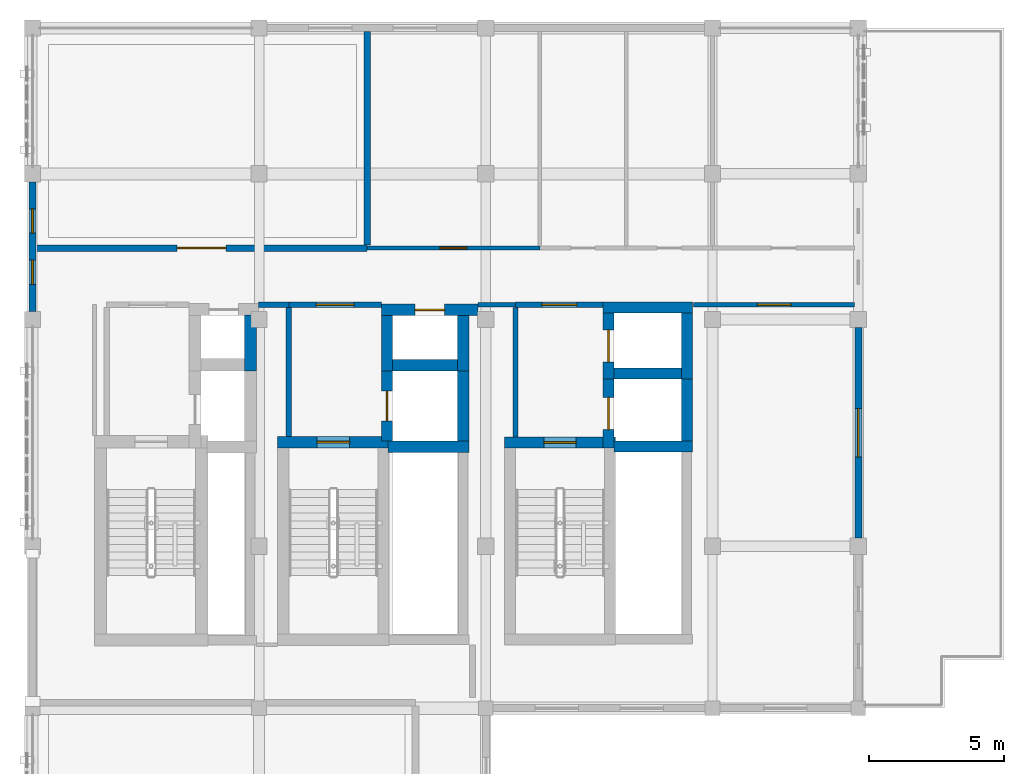
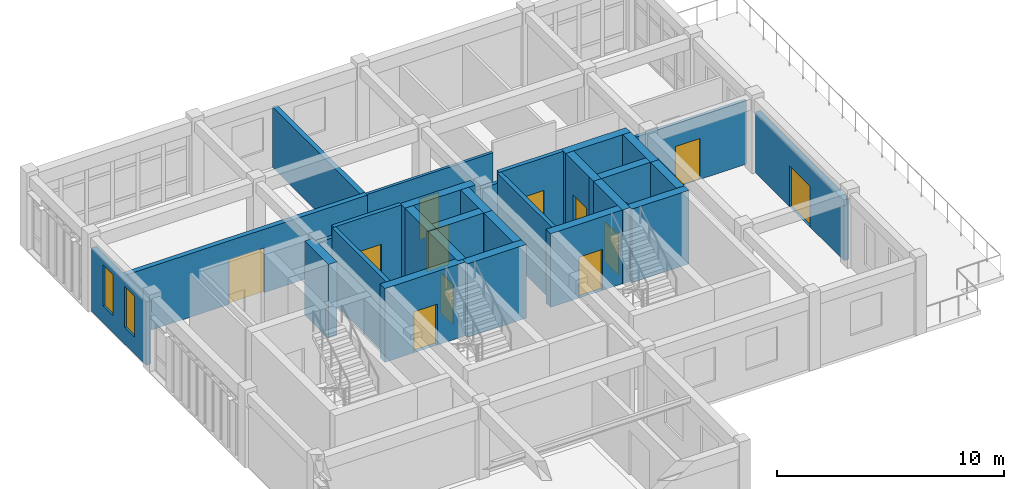
# One storey, part 18 of 21: 29 walls, 12 doors, 2 windows, 14 openings.
"""IFC4 building model written with IfcOpenShell, lengths in metres."""

from ifc_helpers import new_model, si_unit, direction, frame, frame_2d, origin, place, context, subcontext, project, spatial, rectangle, extrude, material, layer, layer_set, type_object, element, fill, save


model = new_model("IFC4")

# Units and contexts
model_context = context("Model", 3, precision=1e-05, world=origin(), true_north=direction((0.0, 1.0)))
body_context = subcontext(model_context, "Body", "Model", "MODEL_VIEW")
ifc_project = project(units=[si_unit("LENGTHUNIT", "METRE"), si_unit("AREAUNIT", "SQUARE_METRE"), si_unit("VOLUMEUNIT", "CUBIC_METRE"), si_unit("PLANEANGLEUNIT", "RADIAN"), si_unit("MASSUNIT", "GRAM", prefix="KILO")], contexts=[model_context])

# Site, building, storey
site_placement = place(None, origin())
site = spatial("IfcSite", under=ifc_project, at=site_placement, CompositionType="ELEMENT")
building_placement = place(site_placement, origin())
building = spatial("IfcBuilding", under=site, at=building_placement, Name="Krzemoval Escarpment Law Courts", CompositionType="ELEMENT")
storey_placement = place(building_placement, frame((0.0, 0.0, 37.800048828125)))
storey = spatial("IfcBuildingStorey", under=building, at=storey_placement, Name="L08", CompositionType="ELEMENT", Elevation=37.800048828125)

# Wall, openings, windows
ifc_material_1 = material(Name="Precast concrete C40/50", Category="concrete")
ifc_layer_1 = layer(ifc_material_1, 0.260009765625)
ifc_layer_set_1 = layer_set([ifc_layer_1], Name="Precast concrete C40/50")
wall_type_1 = type_object("IfcWallType", Name="WL-EXT-260", PredefinedType="SOLIDWALL", material=ifc_layer_set_1)
wall_1_placement = place(storey_placement, frame((126.0, 108.300048828125, 0.0), z_axis=(0.0, 0.0, 1.0), x_axis=(0.0, 1.0, 0.0)))
wall_1 = element("IfcWall", 1, at=wall_1_placement, inside=storey, type_object=wall_type_1, Name="Exterior Wall EW-L08-0469", PredefinedType="SOLIDWALL", context=body_context, shape_type="SweptSolid", body=[
    extrude(rectangle(XDim=4.800048828125, YDim=0.260009765625, at=frame_2d((2.39990234375, 0.0))), origin(), (0.0, 0.0, 1.0), 3.409912109375),
])
opening_1_placement = place(wall_1_placement, frame((1.0, 0.0, 0.89990234375)))
opening_1 = element("IfcOpeningElement", 2, at=opening_1_placement, cuts=wall_1, Name="Opening WN-L08-0547", PredefinedType="OPENING", context=body_context, shape_type="SweptSolid", body=[
    extrude(rectangle(XDim=0.89990234375, YDim=2.199951171875, at=frame_2d((0.449951171875, 1.10009765625))), frame((0.0, 0.145, 0.0), z_axis=(0.0, -1.0, 0.0), x_axis=(1.0, 0.0, 0.0)), (0.0, 0.0, 1.0), 0.29001),
])
opening_2_placement = place(wall_1_placement, frame((2.89990234375, 0.0, 0.89990234375)))
opening_2 = element("IfcOpeningElement", 3, at=opening_2_placement, cuts=wall_1, Name="Opening WN-L08-0548", PredefinedType="OPENING", context=body_context, shape_type="SweptSolid", body=[
    extrude(rectangle(XDim=0.89990234375, YDim=2.199951171875, at=frame_2d((0.449951171875, 1.10009765625))), frame((0.0, 0.145, 0.0), z_axis=(0.0, -1.0, 0.0), x_axis=(1.0, 0.0, 0.0)), (0.0, 0.0, 1.0), 0.29001),
])
ifc_material_2 = material(Name="Thermally Broken Aluminium Frame with Triple Low-E Acoustic Glass", Category="aluminium")
window_type = type_object("IfcWindowType", Name="WN-900x2200", PartitioningType="SINGLE_PANEL", PredefinedType="WINDOW", material=ifc_material_2)
window_1_placement = place(opening_1_placement, origin())
window_1 = element("IfcWindow", 4, at=window_1_placement, inside=storey, type_object=window_type, Name="Facade Window WN-L08-0547", OverallHeight=2.199951171875, OverallWidth=0.89990234375, PartitioningType="SINGLE_PANEL", PredefinedType="WINDOW", context=body_context, shape_type="SweptSolid", body=[
    extrude(rectangle(XDim=0.89990234375, YDim=2.199951171875, at=frame_2d((0.449951171875, 1.10009765625))), frame((0.0, 0.030029296875, 0.0), z_axis=(0.0, -1.0, 0.0), x_axis=(1.0, 0.0, 0.0)), (0.0, 0.0, 1.0), 0.06005859375),
])
fill(opening_1, window_1)
window_2_placement = place(opening_2_placement, origin())
window_2 = element("IfcWindow", 5, at=window_2_placement, inside=storey, type_object=window_type, Name="Facade Window WN-L08-0548", OverallHeight=2.199951171875, OverallWidth=0.89990234375, PartitioningType="SINGLE_PANEL", PredefinedType="WINDOW", context=body_context, shape_type="SweptSolid", body=[
    extrude(rectangle(XDim=0.89990234375, YDim=2.199951171875, at=frame_2d((0.449951171875, 1.10009765625))), frame((0.0, 0.030029296875, 0.0), z_axis=(0.0, -1.0, 0.0), x_axis=(1.0, 0.0, 0.0)), (0.0, 0.0, 1.0), 0.06005859375),
])
fill(opening_2, window_2)

# Wall, opening, door
wall_2_placement = place(storey_placement, frame((156.60009765625, 107.699951171875, 0.0), z_axis=(0.0, 0.0, 1.0), x_axis=(0.0, -1.0, 0.0)))
wall_2 = element("IfcWall", 6, at=wall_2_placement, inside=storey, type_object=wall_type_1, Name="Exterior Wall EW-L08-0473", PredefinedType="SOLIDWALL", context=body_context, shape_type="SweptSolid", body=[
    extrude(rectangle(XDim=7.800048828125, YDim=0.260009765625, at=frame_2d((3.89990234375, 0.0))), origin(), (0.0, 0.0, 1.0), 3.260009765625),
])
opening_3_placement = place(wall_2_placement, frame((3.0, 0.0, 0.0)))
opening_3 = element("IfcOpeningElement", 7, at=opening_3_placement, cuts=wall_2, Name="Opening TD-L08-26", PredefinedType="OPENING", context=body_context, shape_type="SweptSolid", body=[
    extrude(rectangle(XDim=1.800048828125, YDim=2.199951171875, at=frame_2d((0.89990234375, 1.10009765625))), frame((0.0, 0.145, 0.0), z_axis=(0.0, -1.0, 0.0), x_axis=(1.0, 0.0, 0.0)), (0.0, 0.0, 1.0), 0.29001),
])
ifc_material_3 = material(Name="Thermally Broken Aluminium and Laminated Safety Glass", Category="aluminium")
door_type_1 = type_object("IfcDoorType", Name="DR-TER-1800x2200", OperationType="SINGLE_SWING_LEFT", PredefinedType="DOOR", material=ifc_material_3)
door_1_placement = place(opening_3_placement, origin())
door_1 = element("IfcDoor", 8, at=door_1_placement, inside=storey, type_object=door_type_1, Name="Terrace Access Door TD-L08-26", OperationType="DOUBLE_DOOR_SINGLE_SWING", OverallHeight=2.199951171875, OverallWidth=1.800048828125, PredefinedType="DOOR", context=body_context, shape_type="SweptSolid", body=[
    extrude(rectangle(XDim=1.800048828125, YDim=2.199951171875, at=frame_2d((0.89990234375, 1.10009765625))), frame((0.0, 0.02490234375, 0.0), z_axis=(0.0, -1.0, 0.0), x_axis=(1.0, 0.0, 0.0)), (0.0, 0.0, 1.0), 0.050048828125),
])
fill(opening_3, door_1)

ifc_material_4 = material(Name="Sanitary Moisture-Resistant Partition", Category="gypsum")
ifc_layer_2 = layer(ifc_material_4, 0.139892578125)
ifc_layer_set_2 = layer_set([ifc_layer_2], Name="Sanitary Moisture-Resistant Partition")
wall_type_2 = type_object("IfcWallType", Name="WL-PRT-140", PredefinedType="PARTITIONING", material=ifc_layer_set_2)
wall_3_placement = place(storey_placement, frame((138.39990234375, 110.64990234375, 0.0), z_axis=(0.0, 0.0, 1.0), x_axis=(1.0, 0.0, 0.0)))
wall_3 = element("IfcWall", 9, at=wall_3_placement, inside=storey, type_object=wall_type_2, Name="Interior Partition PW-L08-0727", PredefinedType="PARTITIONING", context=body_context, shape_type="SweptSolid", body=[
    extrude(rectangle(XDim=6.400146484375, YDim=0.139892578125, at=frame_2d((3.2001953125, 0.0))), origin(), (0.0, 0.0, 1.0), 3.409912109375),
])
opening_4_placement = place(wall_3_placement, frame((2.699951171875, 0.0, 0.0)))
opening_4 = element("IfcOpeningElement", 10, at=opening_4_placement, cuts=wall_3, Name="Opening D-L08-0256", PredefinedType="OPENING", context=body_context, shape_type="SweptSolid", body=[
    extrude(rectangle(XDim=1.0, YDim=2.199951171875, at=frame_2d((0.5, 1.10009765625))), frame((0.0, 0.08495, 0.0), z_axis=(0.0, -1.0, 0.0), x_axis=(1.0, 0.0, 0.0)), (0.0, 0.0, 1.0), 0.16989),
])
ifc_material_5 = material(Name="Engineered Solid-Core Oak Acoustic Timber", Category="wood")
door_type_2 = type_object("IfcDoorType", Name="DR-INT-1000x2200", OperationType="SINGLE_SWING_LEFT", PredefinedType="DOOR", material=ifc_material_5)
door_2_placement = place(opening_4_placement, origin())
door_2 = element("IfcDoor", 11, at=door_2_placement, inside=storey, type_object=door_type_2, Name="Room Door D-L08-0256", OperationType="SINGLE_SWING_LEFT", OverallHeight=2.199951171875, OverallWidth=1.0, PredefinedType="DOOR", context=body_context, shape_type="SweptSolid", body=[
    extrude(rectangle(XDim=1.0, YDim=2.199951171875, at=frame_2d((0.5, 1.10009765625))), frame((0.0, 0.02490234375, 0.0), z_axis=(0.0, -1.0, 0.0), x_axis=(1.0, 0.0, 0.0)), (0.0, 0.0, 1.0), 0.050048828125),
])
fill(opening_4, door_2)

ifc_material_6 = material(Name="Jury Suite Partition Assembly", Category="gypsum")
ifc_layer_3 = layer(ifc_material_6, 0.159912109375)
ifc_layer_set_3 = layer_set([ifc_layer_3], Name="Jury Suite Partition Assembly")
wall_type_3 = type_object("IfcWallType", Name="WL-PRT-160", PredefinedType="PARTITIONING", material=ifc_layer_set_3)
wall_4_placement = place(storey_placement, frame((150.5, 108.550048828125, 0.0), z_axis=(0.0, 0.0, 1.0), x_axis=(1.0, 0.0, 0.0)))
wall_4 = element("IfcWall", 12, at=wall_4_placement, inside=storey, type_object=wall_type_3, Name="Interior Partition PW-L08-0725", PredefinedType="PARTITIONING", context=body_context, shape_type="SweptSolid", body=[
    extrude(rectangle(XDim=5.968017578125, YDim=0.159912109375, at=frame_2d((2.98388671875, 0.0))), origin(), (0.0, 0.0, 1.0), 3.409912109375),
])
opening_5_placement = place(wall_4_placement, frame((2.35888671875, 0.0, 0.0)))
opening_5 = element("IfcOpeningElement", 13, at=opening_5_placement, cuts=wall_4, Name="Opening D-L08-0260", PredefinedType="OPENING", context=body_context, shape_type="SweptSolid", body=[
    extrude(rectangle(XDim=1.25, YDim=2.199951171875, at=frame_2d((0.625, 1.10009765625))), frame((0.0, 0.09496, 0.0), z_axis=(0.0, -1.0, 0.0), x_axis=(1.0, 0.0, 0.0)), (0.0, 0.0, 1.0), 0.18991),
])
ifc_material_7 = material(Name="Engineered Solid-Core Oak Acoustic Timber", Category="wood")
door_type_3 = type_object("IfcDoorType", Name="DR-INT-1250x2200", OperationType="SINGLE_SWING_LEFT", PredefinedType="DOOR", material=ifc_material_7)
door_3_placement = place(opening_5_placement, origin())
door_3 = element("IfcDoor", 14, at=door_3_placement, inside=storey, type_object=door_type_3, Name="Room Door D-L08-0260", OperationType="SINGLE_SWING_LEFT", OverallHeight=2.199951171875, OverallWidth=1.25, PredefinedType="DOOR", context=body_context, shape_type="SweptSolid", body=[
    extrude(rectangle(XDim=1.25, YDim=2.199951171875, at=frame_2d((0.625, 1.10009765625))), frame((0.0, 0.02490234375, 0.0), z_axis=(0.0, -1.0, 0.0), x_axis=(1.0, 0.0, 0.0)), (0.0, 0.0, 1.0), 0.050048828125),
])
fill(opening_5, door_3)

# Wall
ifc_material_8 = material(Name="Judicial Chambers Acoustic Partition", Category="gypsum")
ifc_layer_4 = layer(ifc_material_8, 0.179931640625)
ifc_layer_set_4 = layer_set([ifc_layer_4], Name="Judicial Chambers Acoustic Partition")
wall_type_4 = type_object("IfcWallType", Name="WL-PRT-180", PredefinedType="PARTITIONING", material=ifc_layer_set_4)
wall_5_placement = place(storey_placement, frame((142.510009765625, 108.550048828125, 0.0), z_axis=(0.0, 0.0, 1.0), x_axis=(1.0, 0.0, 0.0)))
element("IfcWall", 15, at=wall_5_placement, inside=storey, type_object=wall_type_4, Name="Interior Partition PW-L08-0724", PredefinedType="PARTITIONING", context=body_context, shape_type="SweptSolid", body=[
    extrude(rectangle(XDim=1.389892578125, YDim=0.179931640625, at=frame_2d((0.69482421875, 0.0))), origin(), (0.0, 0.0, 1.0), 3.409912109375),
])

# Wall, opening, door
ifc_material_9 = material(Name="Fire-Rated Corridor Partition Wall", Category="gypsum")
ifc_layer_5 = layer(ifc_material_9, 0.199951171875)
ifc_layer_set_5 = layer_set([ifc_layer_5], Name="Fire-Rated Corridor Partition Wall")
wall_type_5 = type_object("IfcWallType", Name="WL-PRT-200", PredefinedType="PARTITIONING", material=ifc_layer_set_5)
wall_6_placement = place(storey_placement, frame((135.5, 108.550048828125, 0.0), z_axis=(0.0, 0.0, 1.0), x_axis=(1.0, 0.0, 0.0)))
wall_6 = element("IfcWall", 16, at=wall_6_placement, inside=storey, type_object=wall_type_5, Name="Interior Partition PW-L08-0721", PredefinedType="PARTITIONING", context=body_context, shape_type="SweptSolid", body=[
    extrude(rectangle(XDim=3.429931640625, YDim=0.199951171875, at=frame_2d((1.71484375, 0.0))), origin(), (0.0, 0.0, 1.0), 3.9599609375),
])
opening_6_placement = place(wall_6_placement, frame((1.014892578125, 0.0, 0.0)))
opening_6 = element("IfcOpeningElement", 17, at=opening_6_placement, cuts=wall_6, Name="Opening D-L08-0252", PredefinedType="OPENING", context=body_context, shape_type="SweptSolid", body=[
    extrude(rectangle(XDim=1.39990234375, YDim=2.199951171875, at=frame_2d((0.699951171875, 1.10009765625))), frame((0.0, 0.11498, 0.0), z_axis=(0.0, -1.0, 0.0), x_axis=(1.0, 0.0, 0.0)), (0.0, 0.0, 1.0), 0.22995),
])
ifc_material_10 = material(Name="Galvanised Steel S355", Category="steel")
door_type_4 = type_object("IfcDoorType", Name="DR-FFL-1400x2200", OperationType="SINGLE_SWING_LEFT", PredefinedType="DOOR", material=ifc_material_10)
door_4_placement = place(opening_6_placement, origin())
door_4 = element("IfcDoor", 18, at=door_4_placement, inside=storey, type_object=door_type_4, Name="Room Door D-L08-0252", OperationType="SINGLE_SWING_LEFT", OverallHeight=2.199951171875, OverallWidth=1.39990234375, PredefinedType="DOOR", context=body_context, shape_type="SweptSolid", body=[
    extrude(rectangle(XDim=1.39990234375, YDim=2.199951171875, at=frame_2d((0.699951171875, 1.10009765625))), frame((0.0, 0.02490234375, 0.0), z_axis=(0.0, -1.0, 0.0), x_axis=(1.0, 0.0, 0.0)), (0.0, 0.0, 1.0), 0.050048828125),
])
fill(opening_6, door_4)

wall_7_placement = place(storey_placement, frame((143.89990234375, 108.550048828125, 0.0), z_axis=(0.0, 0.0, 1.0), x_axis=(1.0, 0.0, 0.0)))
wall_7 = element("IfcWall", 19, at=wall_7_placement, inside=storey, type_object=wall_type_5, Name="Interior Partition PW-L08-0722", PredefinedType="PARTITIONING", context=body_context, shape_type="SweptSolid", body=[
    extrude(rectangle(XDim=3.25, YDim=0.199951171875, at=frame_2d((1.625, 0.0))), origin(), (0.0, 0.0, 1.0), 3.9599609375),
])
opening_7_placement = place(wall_7_placement, frame((0.97509765625, 0.0, 0.0)))
opening_7 = element("IfcOpeningElement", 20, at=opening_7_placement, cuts=wall_7, Name="Opening D-L08-0253", PredefinedType="OPENING", context=body_context, shape_type="SweptSolid", body=[
    extrude(rectangle(XDim=1.300048828125, YDim=2.199951171875, at=frame_2d((0.64990234375, 1.10009765625))), frame((0.0, 0.11498, 0.0), z_axis=(0.0, -1.0, 0.0), x_axis=(1.0, 0.0, 0.0)), (0.0, 0.0, 1.0), 0.22995),
])
ifc_material_11 = material(Name="Galvanised Steel S355", Category="steel")
door_type_5 = type_object("IfcDoorType", Name="DR-STR-1300x2200", OperationType="SINGLE_SWING_LEFT", PredefinedType="DOOR", material=ifc_material_11)
door_5_placement = place(opening_7_placement, origin())
door_5 = element("IfcDoor", 21, at=door_5_placement, inside=storey, type_object=door_type_5, Name="Room Door D-L08-0253", OperationType="SINGLE_SWING_RIGHT", OverallHeight=2.199951171875, OverallWidth=1.300048828125, PredefinedType="DOOR", context=body_context, shape_type="SweptSolid", body=[
    extrude(rectangle(XDim=1.300048828125, YDim=2.199951171875, at=frame_2d((0.64990234375, 1.10009765625))), frame((0.0, 0.02490234375, 0.0), z_axis=(0.0, -1.0, 0.0), x_axis=(1.0, 0.0, 0.0)), (0.0, 0.0, 1.0), 0.050048828125),
])
fill(opening_7, door_5)

# Walls
wall_8_placement = place(storey_placement, frame((134.3798828125, 108.550048828125, 0.0), z_axis=(0.0, 0.0, 1.0), x_axis=(1.0, 0.0, 0.0)))
element("IfcWall", 22, at=wall_8_placement, inside=storey, type_object=wall_type_5, Name="Interior Partition PW-L08-0723", PredefinedType="PARTITIONING", context=body_context, shape_type="SweptSolid", body=[
    extrude(rectangle(XDim=1.1201171875, YDim=0.199951171875, at=frame_2d((0.56005859375, 0.0))), origin(), (0.0, 0.0, 1.0), 3.409912109375),
])
wall_9_placement = place(storey_placement, frame((135.5, 103.672119140625, 0.0), z_axis=(0.0, 0.0, 1.0), x_axis=(0.0, 1.0, 0.0)))
element("IfcWall", 23, at=wall_9_placement, inside=storey, type_object=wall_type_5, Name="Interior Partition PW-L08-0733", PredefinedType="PARTITIONING", context=body_context, shape_type="SweptSolid", body=[
    extrude(rectangle(XDim=4.77587890625, YDim=0.199951171875, at=frame_2d((2.387939453125, 0.0))), origin(), (0.0, 0.0, 1.0), 3.9599609375),
])
wall_10_placement = place(storey_placement, frame((143.89990234375, 103.652099609375, 0.0), z_axis=(0.0, 0.0, 1.0), x_axis=(0.0, 1.0, 0.0)))
element("IfcWall", 24, at=wall_10_placement, inside=storey, type_object=wall_type_5, Name="Interior Partition PW-L08-0737", PredefinedType="PARTITIONING", context=body_context, shape_type="SweptSolid", body=[
    extrude(rectangle(XDim=4.7958984375, YDim=0.199951171875, at=frame_2d((2.39794921875, 0.0))), origin(), (0.0, 0.0, 1.0), 3.9599609375),
])

# Wall, opening, door
ifc_material_12 = material(Name="Acoustic Courtroom Partition Assembly", Category="gypsum")
ifc_layer_6 = layer(ifc_material_12, 0.239990234375)
ifc_layer_set_6 = layer_set([ifc_layer_6], Name="Acoustic Courtroom Partition Assembly")
wall_type_6 = type_object("IfcWallType", Name="WL-PRT-240", PredefinedType="PARTITIONING", material=ifc_layer_set_6)
wall_11_placement = place(storey_placement, frame((126.132080078125, 110.64990234375, 0.0), z_axis=(0.0, 0.0, 1.0), x_axis=(1.0, 0.0, 0.0)))
wall_11 = element("IfcWall", 25, at=wall_11_placement, inside=storey, type_object=wall_type_6, Name="Interior Partition PW-L08-0726", PredefinedType="PARTITIONING", context=body_context, shape_type="SweptSolid", body=[
    extrude(rectangle(XDim=12.267822265625, YDim=0.239990234375, at=frame_2d((6.1337890625, 0.0))), origin(), (0.0, 0.0, 1.0), 3.409912109375),
])
opening_8_placement = place(wall_11_placement, frame((5.23388671875, 0.0, 0.0)))
opening_8 = element("IfcOpeningElement", 26, at=opening_8_placement, cuts=wall_11, Name="Opening D-L08-0255", PredefinedType="OPENING", context=body_context, shape_type="SweptSolid", body=[
    extrude(rectangle(XDim=1.800048828125, YDim=2.39990234375, at=frame_2d((0.89990234375, 1.199951171875))), frame((0.0, 0.135, 0.0), z_axis=(0.0, -1.0, 0.0), x_axis=(1.0, 0.0, 0.0)), (0.0, 0.0, 1.0), 0.26999),
])
ifc_material_13 = material(Name="Engineered Solid-Core Oak Acoustic Timber", Category="wood")
door_type_6 = type_object("IfcDoorType", Name="DR-CRT-1800x2400", OperationType="SINGLE_SWING_LEFT", PredefinedType="DOOR", material=ifc_material_13)
door_6_placement = place(opening_8_placement, origin())
door_6 = element("IfcDoor", 27, at=door_6_placement, inside=storey, type_object=door_type_6, Name="Room Door D-L08-0255", OperationType="SINGLE_SWING_LEFT", OverallHeight=2.39990234375, OverallWidth=1.800048828125, PredefinedType="DOOR", context=body_context, shape_type="SweptSolid", body=[
    extrude(rectangle(XDim=1.800048828125, YDim=2.39990234375, at=frame_2d((0.89990234375, 1.199951171875))), frame((0.0, 0.02490234375, 0.0), z_axis=(0.0, -1.0, 0.0), x_axis=(1.0, 0.0, 0.0)), (0.0, 0.0, 1.0), 0.050048828125),
])
fill(opening_8, door_6)

# Wall
wall_12_placement = place(storey_placement, frame((138.39990234375, 110.77197265625, 0.0), z_axis=(0.0, 0.0, 1.0), x_axis=(0.0, 1.0, 0.0)))
element("IfcWall", 28, at=wall_12_placement, inside=storey, type_object=wall_type_6, Name="Interior Partition PW-L08-0734", PredefinedType="PARTITIONING", context=body_context, shape_type="SweptSolid", body=[
    extrude(rectangle(XDim=7.89599609375, YDim=0.239990234375, at=frame_2d((3.947998046875, 0.0))), origin(), (0.0, 0.0, 1.0), 3.260009765625),
])

# Wall, opening, door
ifc_material_14 = material(Name="Concrete C40/50", Category="concrete")
ifc_layer_7 = layer(ifc_material_14, 0.39990234375)
ifc_layer_set_7 = layer_set([ifc_layer_7], Name="Concrete C40/50")
wall_type_7 = type_object("IfcWallType", Name="WL-SHW-400", PredefinedType="SHEAR", material=ifc_layer_set_7)
wall_13_placement = place(storey_placement, frame((143.5, 103.449951171875, 0.0), z_axis=(0.0, 0.0, 1.0), x_axis=(1.0, 0.0, 0.0)))
wall_13 = element("IfcWall", 29, at=wall_13_placement, inside=storey, type_object=wall_type_7, Name="Core Stair Shear Wall SW-L08-0418", PredefinedType="SHEAR", context=body_context, shape_type="SweptSolid", body=[
    extrude(rectangle(XDim=4.10009765625, YDim=0.39990234375, at=frame_2d((2.050048828125, 0.0))), origin(), (0.0, 0.0, 1.0), 3.9599609375),
])
opening_9_placement = place(wall_13_placement, frame((1.449951171875, 0.0, 0.0)))
opening_9 = element("IfcOpeningElement", 30, at=opening_9_placement, cuts=wall_13, Name="Opening SD-ST3-L08", PredefinedType="OPENING", context=body_context, shape_type="SweptSolid", body=[
    extrude(rectangle(XDim=1.199951171875, YDim=2.199951171875, at=frame_2d((0.60009765625, 1.10009765625))), frame((0.0, 0.21495, 0.0), z_axis=(0.0, -1.0, 0.0), x_axis=(1.0, 0.0, 0.0)), (0.0, 0.0, 1.0), 0.4299),
])
ifc_material_15 = material(Name="Galvanised Steel S355", Category="steel")
door_type_7 = type_object("IfcDoorType", Name="DR-STR-1200x2200", OperationType="SINGLE_SWING_LEFT", PredefinedType="DOOR", material=ifc_material_15)
door_7_placement = place(opening_9_placement, origin())
door_7 = element("IfcDoor", 31, at=door_7_placement, inside=storey, type_object=door_type_7, Name="Stair Exit Door SD-ST3-L08", OperationType="SINGLE_SWING_LEFT", OverallHeight=2.199951171875, OverallWidth=1.199951171875, PredefinedType="DOOR", context=body_context, shape_type="SweptSolid", body=[
    extrude(rectangle(XDim=1.199951171875, YDim=2.199951171875, at=frame_2d((0.60009765625, 1.10009765625))), frame((0.0, 0.02490234375, 0.0), z_axis=(0.0, -1.0, 0.0), x_axis=(1.0, 0.0, 0.0)), (0.0, 0.0, 1.0), 0.050048828125),
])
fill(opening_9, door_7)

# Walls
wall_14_placement = place(storey_placement, frame((147.54296875, 103.300048828125, 0.0), z_axis=(0.0, 0.0, 1.0), x_axis=(1.0, 0.0, 0.0)))
element("IfcWall", 32, at=wall_14_placement, inside=storey, type_object=wall_type_7, Name="Lift Shaft Shear Wall SW-L08-0422", PredefinedType="SHEAR", context=body_context, shape_type="SweptSolid", body=[
    extrude(rectangle(XDim=2.906982421875, YDim=0.39990234375, at=frame_2d((1.45361328125, 0.0))), origin(), (0.0, 0.0, 1.0), 3.9599609375),
])
wall_15_placement = place(storey_placement, frame((147.14990234375, 106.0, 0.0), z_axis=(0.0, 0.0, 1.0), x_axis=(1.0, 0.0, 0.0)))
element("IfcWall", 33, at=wall_15_placement, inside=storey, type_object=wall_type_7, Name="Lift Shaft Shear Wall SW-L08-0423", PredefinedType="SHEAR", context=body_context, shape_type="SweptSolid", body=[
    extrude(rectangle(XDim=3.300048828125, YDim=0.39990234375, at=frame_2d((1.64990234375, 0.0))), origin(), (0.0, 0.0, 1.0), 3.9599609375),
])

# Wall, opening, door
wall_16_placement = place(storey_placement, frame((147.35009765625, 103.242919921875, 0.0), z_axis=(0.0, 0.0, 1.0), x_axis=(0.0, 1.0, 0.0)))
wall_16 = element("IfcWall", 34, at=wall_16_placement, inside=storey, type_object=wall_type_7, Name="Lift Shaft Shear Wall SW-L08-0424", PredefinedType="SHEAR", context=body_context, shape_type="SweptSolid", body=[
    extrude(rectangle(XDim=2.55517578125, YDim=0.39990234375, at=frame_2d((1.277587890625, 0.0))), origin(), (0.0, 0.0, 1.0), 3.9599609375),
])
opening_10_placement = place(wall_16_placement, frame((0.677978515625, 0.0, 0.0)))
opening_10 = element("IfcOpeningElement", 35, at=opening_10_placement, cuts=wall_16, Name="Opening LD-PL1-L08", PredefinedType="OPENING", context=body_context, shape_type="SweptSolid", body=[
    extrude(rectangle(XDim=1.199951171875, YDim=2.14990234375, at=frame_2d((0.60009765625, 1.074951171875))), frame((0.0, 0.21495, 0.0), z_axis=(0.0, -1.0, 0.0), x_axis=(1.0, 0.0, 0.0)), (0.0, 0.0, 1.0), 0.4299),
])
ifc_material_16 = material(Name="Engineered Solid-Core Oak Acoustic Timber", Category="wood")
door_type_8 = type_object("IfcDoorType", Name="DR-LFT-1200x2150", OperationType="SINGLE_SWING_LEFT", PredefinedType="DOOR", material=ifc_material_16)
door_8_placement = place(opening_10_placement, origin())
door_8 = element("IfcDoor", 36, at=door_8_placement, inside=storey, type_object=door_type_8, Name="Lift Landing Door LD-PL1-L08", OperationType="DOUBLE_DOOR_SLIDING", OverallHeight=2.14990234375, OverallWidth=1.199951171875, PredefinedType="DOOR", context=body_context, shape_type="SweptSolid", body=[
    extrude(rectangle(XDim=1.199951171875, YDim=2.14990234375, at=frame_2d((0.60009765625, 1.074951171875))), frame((0.0, 0.02490234375, 0.0), z_axis=(0.0, -1.0, 0.0), x_axis=(1.0, 0.0, 0.0)), (0.0, 0.0, 1.0), 0.050048828125),
])
fill(opening_10, door_8)

# Walls
wall_17_placement = place(storey_placement, frame((150.25, 103.501953125, 0.0), z_axis=(0.0, 0.0, 1.0), x_axis=(0.0, 1.0, 0.0)))
element("IfcWall", 37, at=wall_17_placement, inside=storey, type_object=wall_type_7, Name="Lift Shaft Shear Wall SW-L08-0425", PredefinedType="SHEAR", context=body_context, shape_type="SweptSolid", body=[
    extrude(rectangle(XDim=2.296142578125, YDim=0.39990234375, at=frame_2d((1.14794921875, 0.0))), origin(), (0.0, 0.0, 1.0), 3.9599609375),
])
wall_18_placement = place(storey_placement, frame((147.14990234375, 108.449951171875, 0.0), z_axis=(0.0, 0.0, 1.0), x_axis=(1.0, 0.0, 0.0)))
element("IfcWall", 38, at=wall_18_placement, inside=storey, type_object=wall_type_7, Name="Lift Shaft Shear Wall SW-L08-0426", PredefinedType="SHEAR", context=body_context, shape_type="SweptSolid", body=[
    extrude(rectangle(XDim=3.300048828125, YDim=0.39990234375, at=frame_2d((1.64990234375, 0.0))), origin(), (0.0, 0.0, 1.0), 3.9599609375),
])

# Wall, opening, door
wall_19_placement = place(storey_placement, frame((147.35009765625, 105.79296875, 0.0), z_axis=(0.0, 0.0, 1.0), x_axis=(0.0, 1.0, 0.0)))
wall_19 = element("IfcWall", 39, at=wall_19_placement, inside=storey, type_object=wall_type_7, Name="Lift Shaft Shear Wall SW-L08-0427", PredefinedType="SHEAR", context=body_context, shape_type="SweptSolid", body=[
    extrude(rectangle(XDim=2.455078125, YDim=0.39990234375, at=frame_2d((1.2275390625, 0.0))), origin(), (0.0, 0.0, 1.0), 3.9599609375),
])
opening_11_placement = place(wall_19_placement, frame((0.626953125, 0.0, 0.0)))
opening_11 = element("IfcOpeningElement", 40, at=opening_11_placement, cuts=wall_19, Name="Opening LD-PL2-L08", PredefinedType="OPENING", context=body_context, shape_type="SweptSolid", body=[
    extrude(rectangle(XDim=1.199951171875, YDim=2.14990234375, at=frame_2d((0.60009765625, 1.074951171875))), frame((0.0, 0.21495, 0.0), z_axis=(0.0, -1.0, 0.0), x_axis=(1.0, 0.0, 0.0)), (0.0, 0.0, 1.0), 0.4299),
])
door_9_placement = place(opening_11_placement, origin())
door_9 = element("IfcDoor", 41, at=door_9_placement, inside=storey, type_object=door_type_8, Name="Lift Landing Door LD-PL2-L08", OperationType="DOUBLE_DOOR_SLIDING", OverallHeight=2.14990234375, OverallWidth=1.199951171875, PredefinedType="DOOR", context=body_context, shape_type="SweptSolid", body=[
    extrude(rectangle(XDim=1.199951171875, YDim=2.14990234375, at=frame_2d((0.60009765625, 1.074951171875))), frame((0.0, 0.02490234375, 0.0), z_axis=(0.0, -1.0, 0.0), x_axis=(1.0, 0.0, 0.0)), (0.0, 0.0, 1.0), 0.050048828125),
])
fill(opening_11, door_9)

# Wall
wall_20_placement = place(storey_placement, frame((150.25, 105.79296875, 0.0), z_axis=(0.0, 0.0, 1.0), x_axis=(0.0, 1.0, 0.0)))
element("IfcWall", 42, at=wall_20_placement, inside=storey, type_object=wall_type_7, Name="Lift Shaft Shear Wall SW-L08-0428", PredefinedType="SHEAR", context=body_context, shape_type="SweptSolid", body=[
    extrude(rectangle(XDim=2.455078125, YDim=0.39990234375, at=frame_2d((1.2275390625, 0.0))), origin(), (0.0, 0.0, 1.0), 3.9599609375),
])

# Wall, opening, door
ifc_material_17 = material(Name="Concrete C40/50", Category="concrete")
ifc_layer_8 = layer(ifc_material_17, 0.419921875)
ifc_layer_set_8 = layer_set([ifc_layer_8], Name="Concrete C40/50")
wall_type_8 = type_object("IfcWallType", Name="WL-SHW-420", PredefinedType="SHEAR", material=ifc_layer_set_8)
wall_21_placement = place(storey_placement, frame((135.080078125, 103.4599609375, 0.0), z_axis=(0.0, 0.0, 1.0), x_axis=(1.0, 0.0, 0.0)))
wall_21 = element("IfcWall", 43, at=wall_21_placement, inside=storey, type_object=wall_type_8, Name="Core Stair Shear Wall SW-L08-0268", PredefinedType="SHEAR", context=body_context, shape_type="SweptSolid", body=[
    extrude(rectangle(XDim=4.139892578125, YDim=0.419921875, at=frame_2d((2.06982421875, 0.0))), origin(), (0.0, 0.0, 1.0), 3.9599609375),
])
opening_12_placement = place(wall_21_placement, frame((1.469970703125, 0.0, 0.0)))
opening_12 = element("IfcOpeningElement", 44, at=opening_12_placement, cuts=wall_21, Name="Opening SD-ST2-L08", PredefinedType="OPENING", context=body_context, shape_type="SweptSolid", body=[
    extrude(rectangle(XDim=1.199951171875, YDim=2.199951171875, at=frame_2d((0.60009765625, 1.10009765625))), frame((0.0, 0.22496, 0.0), z_axis=(0.0, -1.0, 0.0), x_axis=(1.0, 0.0, 0.0)), (0.0, 0.0, 1.0), 0.44992),
])
door_10_placement = place(opening_12_placement, origin())
door_10 = element("IfcDoor", 45, at=door_10_placement, inside=storey, type_object=door_type_7, Name="Stair Exit Door SD-ST2-L08", OperationType="SINGLE_SWING_RIGHT", OverallHeight=2.199951171875, OverallWidth=1.199951171875, PredefinedType="DOOR", context=body_context, shape_type="SweptSolid", body=[
    extrude(rectangle(XDim=1.199951171875, YDim=2.199951171875, at=frame_2d((0.60009765625, 1.10009765625))), frame((0.0, 0.02490234375, 0.0), z_axis=(0.0, -1.0, 0.0), x_axis=(1.0, 0.0, 0.0)), (0.0, 0.0, 1.0), 0.050048828125),
])
fill(opening_12, door_10)

# Walls
wall_22_placement = place(storey_placement, frame((139.173095703125, 103.2900390625, 0.0), z_axis=(0.0, 0.0, 1.0), x_axis=(1.0, 0.0, 0.0)))
element("IfcWall", 46, at=wall_22_placement, inside=storey, type_object=wall_type_8, Name="Lift Shaft Shear Wall SW-L08-0272", PredefinedType="SHEAR", context=body_context, shape_type="SweptSolid", body=[
    extrude(rectangle(XDim=2.996826171875, YDim=0.419921875, at=frame_2d((1.49853515625, 0.0))), origin(), (0.0, 0.0, 1.0), 3.9599609375),
])
wall_23_placement = place(storey_placement, frame((138.929931640625, 106.31005859375, 0.0), z_axis=(0.0, 0.0, 1.0), x_axis=(1.0, 0.0, 0.0)))
element("IfcWall", 47, at=wall_23_placement, inside=storey, type_object=wall_type_8, Name="Lift Shaft Shear Wall SW-L08-0273", PredefinedType="SHEAR", context=body_context, shape_type="SweptSolid", body=[
    extrude(rectangle(XDim=3.239990234375, YDim=0.419921875, at=frame_2d((1.6201171875, 0.0))), origin(), (0.0, 0.0, 1.0), 3.9599609375),
])

# Wall, opening, door
wall_24_placement = place(storey_placement, frame((139.139892578125, 103.491943359375, 0.0), z_axis=(0.0, 0.0, 1.0), x_axis=(0.0, 1.0, 0.0)))
wall_24 = element("IfcWall", 48, at=wall_24_placement, inside=storey, type_object=wall_type_8, Name="Lift Shaft Shear Wall SW-L08-0274", PredefinedType="SHEAR", context=body_context, shape_type="SweptSolid", body=[
    extrude(rectangle(XDim=2.60595703125, YDim=0.419921875, at=frame_2d((1.302978515625, 0.0))), origin(), (0.0, 0.0, 1.0), 3.9599609375),
])
opening_13_placement = place(wall_24_placement, frame((0.7529296875, 0.0, 0.0)))
opening_13 = element("IfcOpeningElement", 49, at=opening_13_placement, cuts=wall_24, Name="Opening LD-FL2-L08", PredefinedType="OPENING", context=body_context, shape_type="SweptSolid", body=[
    extrude(rectangle(XDim=1.10009765625, YDim=2.14990234375, at=frame_2d((0.550048828125, 1.074951171875))), frame((0.0, 0.22496, 0.0), z_axis=(0.0, -1.0, 0.0), x_axis=(1.0, 0.0, 0.0)), (0.0, 0.0, 1.0), 0.44992),
])
ifc_material_18 = material(Name="Stainless Steel Grade 304", Category="steel")
door_type_9 = type_object("IfcDoorType", Name="DR-LFT-1100x2150", OperationType="SINGLE_SWING_LEFT", PredefinedType="DOOR", material=ifc_material_18)
door_11_placement = place(opening_13_placement, origin())
door_11 = element("IfcDoor", 50, at=door_11_placement, inside=storey, type_object=door_type_9, Name="Lift Landing Door LD-FL2-L08", OperationType="DOUBLE_DOOR_SLIDING", OverallHeight=2.14990234375, OverallWidth=1.10009765625, PredefinedType="DOOR", context=body_context, shape_type="SweptSolid", body=[
    extrude(rectangle(XDim=1.10009765625, YDim=2.14990234375, at=frame_2d((0.550048828125, 1.074951171875))), frame((0.0, 0.02490234375, 0.0), z_axis=(0.0, -1.0, 0.0), x_axis=(1.0, 0.0, 0.0)), (0.0, 0.0, 1.0), 0.050048828125),
])
fill(opening_13, door_11)

# Wall
wall_25_placement = place(storey_placement, frame((141.9599609375, 103.501953125, 0.0), z_axis=(0.0, 0.0, 1.0), x_axis=(0.0, 1.0, 0.0)))
element("IfcWall", 51, at=wall_25_placement, inside=storey, type_object=wall_type_8, Name="Lift Shaft Shear Wall SW-L08-0275", PredefinedType="SHEAR", context=body_context, shape_type="SweptSolid", body=[
    extrude(rectangle(XDim=2.595947265625, YDim=0.419921875, at=frame_2d((1.2978515625, 0.0))), origin(), (0.0, 0.0, 1.0), 3.9599609375),
])

# Wall, opening, door
wall_26_placement = place(storey_placement, frame((138.929931640625, 108.360107421875, 0.0), z_axis=(0.0, 0.0, 1.0), x_axis=(1.0, 0.0, 0.0)))
wall_26 = element("IfcWall", 52, at=wall_26_placement, inside=storey, type_object=wall_type_8, Name="Lift Shaft Shear Wall SW-L08-0276", PredefinedType="SHEAR", context=body_context, shape_type="SweptSolid", body=[
    extrude(rectangle(XDim=3.580078125, YDim=0.419921875, at=frame_2d((1.7900390625, 0.0))), origin(), (0.0, 0.0, 1.0), 3.9599609375),
])
opening_14_placement = place(wall_26_placement, frame((1.239990234375, 0.0, 0.0)))
opening_14 = element("IfcOpeningElement", 53, at=opening_14_placement, cuts=wall_26, Name="Opening LD-JL2-L08", PredefinedType="OPENING", context=body_context, shape_type="SweptSolid", body=[
    extrude(rectangle(XDim=1.10009765625, YDim=2.14990234375, at=frame_2d((0.550048828125, 1.074951171875))), frame((0.0, 0.22496, 0.0), z_axis=(0.0, -1.0, 0.0), x_axis=(1.0, 0.0, 0.0)), (0.0, 0.0, 1.0), 0.44992),
])
door_12_placement = place(opening_14_placement, origin())
door_12 = element("IfcDoor", 54, at=door_12_placement, inside=storey, type_object=door_type_9, Name="Lift Landing Door LD-JL2-L08", OperationType="DOUBLE_DOOR_SLIDING", OverallHeight=2.14990234375, OverallWidth=1.10009765625, PredefinedType="DOOR", context=body_context, shape_type="SweptSolid", body=[
    extrude(rectangle(XDim=1.10009765625, YDim=2.14990234375, at=frame_2d((0.550048828125, 1.074951171875))), frame((0.0, 0.02490234375, 0.0), z_axis=(0.0, -1.0, 0.0), x_axis=(1.0, 0.0, 0.0)), (0.0, 0.0, 1.0), 0.050048828125),
])
fill(opening_14, door_12)

# Walls
for number, where, z_axis, x_axis, name in (
    (55, (139.139892578125, 106.093017578125, 0.0), (0.0, 0.0, 1.0), (0.0, 1.0, 0.0), "Lift Shaft Shear Wall SW-L08-0277"),
    (56, (141.9599609375, 106.093017578125, 0.0), (0.0, 0.0, 1.0), (0.0, 1.0, 0.0), "Lift Shaft Shear Wall SW-L08-0278"),
):
    element("IfcWall", number, at=place(storey_placement, frame(where, z_axis=z_axis, x_axis=x_axis)), inside=storey, type_object=wall_type_8, Name=name, PredefinedType="SHEAR", context=body_context, shape_type="SweptSolid", body=[
        extrude(rectangle(XDim=2.054931640625, YDim=0.419921875, at=frame_2d((1.02734375, 0.0))), origin(), (0.0, 0.0, 1.0), 3.9599609375),
    ])
ifc_material_19 = material(Name="Concrete C40/50", Category="concrete")
ifc_layer_9 = layer(ifc_material_19, 0.449951171875)
ifc_layer_set_9 = layer_set([ifc_layer_9], Name="Concrete C40/50")
wall_type_9 = type_object("IfcWallType", Name="WL-SHW-450", PredefinedType="SHEAR", material=ifc_layer_set_9)
wall_27_placement = place(storey_placement, frame((134.074951171875, 106.093017578125, 0.0), z_axis=(0.0, 0.0, 1.0), x_axis=(0.0, 1.0, 0.0)))
element("IfcWall", 57, at=wall_27_placement, inside=storey, type_object=wall_type_9, Name="Lift Shaft Shear Wall SW-L08-0128", PredefinedType="SHEAR", context=body_context, shape_type="SweptSolid", body=[
    extrude(rectangle(XDim=2.0849609375, YDim=0.449951171875, at=frame_2d((1.04248046875, 0.0))), origin(), (0.0, 0.0, 1.0), 3.9599609375),
])

save(model, "model.ifc")
